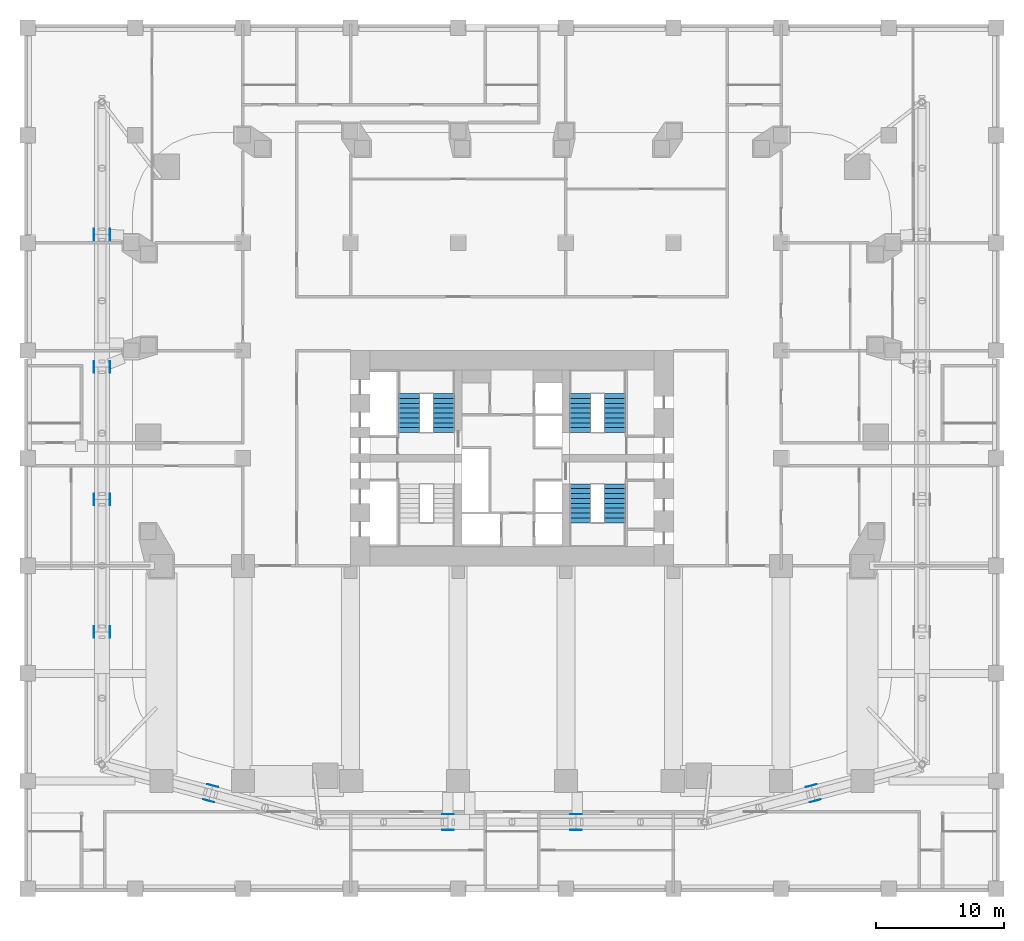
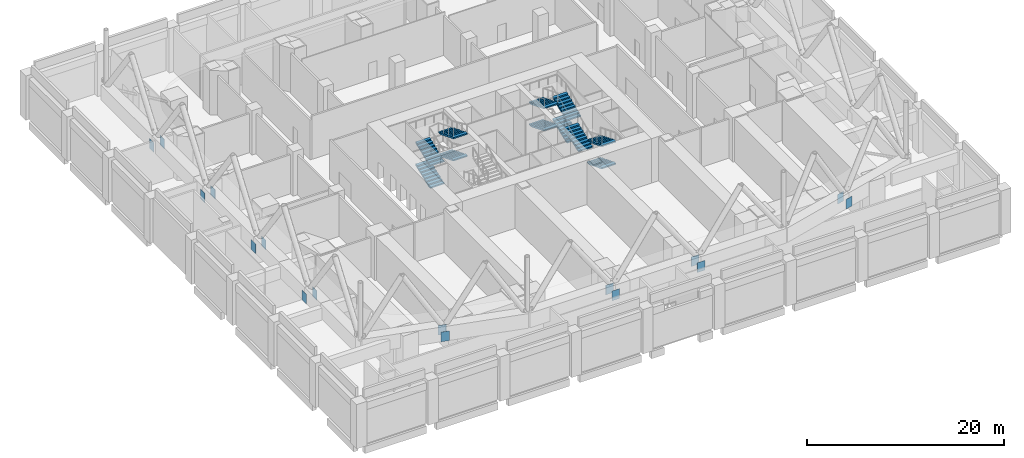
# One storey, part 13 of 17: 16 discrete accessories, 11 stair flights, 3 elements without a shape of their own.
"""IFC4 building model written with IfcOpenShell, lengths in metres."""

from ifc_helpers import new_model, si_unit, direction, frame, origin, origin_2d, place, context, subcontext, project, spatial, polyline, rectangle, outline, extrude, material, layer, layer_set, type_object, element, aggregate, save


model = new_model("IFC4")

# Units and contexts
model_context = context("Model", 3, precision=1e-05, world=origin(), true_north=direction((0.0, 1.0)))
body_context = subcontext(model_context, "Body", "Model", "MODEL_VIEW")
ifc_project = project(units=[si_unit("LENGTHUNIT", "METRE"), si_unit("AREAUNIT", "SQUARE_METRE"), si_unit("VOLUMEUNIT", "CUBIC_METRE"), si_unit("PLANEANGLEUNIT", "RADIAN"), si_unit("MASSUNIT", "GRAM", prefix="KILO")], contexts=[model_context])

# Site, building, storey
site_placement = place(None, origin())
site = spatial("IfcSite", under=ifc_project, at=site_placement, CompositionType="ELEMENT")
building_placement = place(site_placement, origin())
building = spatial("IfcBuilding", under=site, at=building_placement, Name="Marenta Gate Hotel Tower", CompositionType="ELEMENT")
storey_placement = place(building_placement, frame((0.0, 0.0, 31.0)))
storey = spatial("IfcBuildingStorey", under=building, at=storey_placement, Name="L05", CompositionType="ELEMENT", Elevation=31.0)

# Stair, stair flights
ifc_material_1 = material(Name="Concrete C40", Category="concrete")
stair_type = type_object("IfcStairType", Name="Core exit stair 1640 wide", PredefinedType="HALF_TURN_STAIR", material=ifc_material_1)
stair_1_placement = place(storey_placement, origin())
stair_1 = element("IfcStair", 1, at=stair_1_placement, inside=storey, type_object=stair_type, Name="Exit stair 2", PredefinedType="HALF_TURN_STAIR")
ifc_material_2 = material(Name="Concrete C40", Category="concrete")
stair_flight_type = type_object("IfcStairFlightType", Name="Core stair flight 1640 riser 152.8 going 380", PredefinedType="STRAIGHT", material=ifc_material_2)
stair_flight_1_placement = place(storey_placement, frame((-8.030029296875, 10.39990234375, 0.0), z_axis=(0.0, 0.0, 1.0), x_axis=(0.0, 1.0, 0.0)))
stair_flight_1 = element("IfcStairFlight", 2, at=stair_flight_1_placement, type_object=stair_flight_type, Name="ST2 flight 1", NumberOfRisers=9, NumberOfTreads=8, PredefinedType="STRAIGHT", RiserHeight=0.152778, TreadLength=0.38, context=body_context, shape_type="SweptSolid", body=[
    extrude(outline(polyline([(0.0, 0.0), (0.0, 0.15283203125), (0.3798828125, 0.15283203125), (0.3798828125, 0.3056640625), (0.760009765625, 0.3056640625), (0.760009765625, 0.458251953125), (1.139892578125, 0.458251953125), (1.139892578125, 0.611083984375), (1.52001953125, 0.611083984375), (1.52001953125, 0.763916015625), (1.89990234375, 0.763916015625), (1.89990234375, 0.916748046875), (2.280029296875, 0.916748046875), (2.280029296875, 1.0693359375), (2.659912109375, 1.0693359375), (2.659912109375, 1.22216796875), (3.0400390625, 1.22216796875), (3.0400390625, 1.375), (3.0400390625, 1.060546875), (0.40185546875, 0.0), (0.0, 0.0)])), frame((0.0, 0.81982421875, 0.0), z_axis=(0.0, -1.0, 0.0), x_axis=(1.0, 0.0, 0.0)), (0.0, 0.0, 1.0), 1.639892578125),
])
stair_flight_2_placement = place(storey_placement, frame((-5.320068359375, 13.43994140625, 1.375), z_axis=(0.0, 0.0, 1.0), x_axis=(0.0, -1.0, 0.0)))
stair_flight_2 = element("IfcStairFlight", 3, at=stair_flight_2_placement, type_object=stair_flight_type, Name="ST2 flight 2", NumberOfRisers=9, NumberOfTreads=8, PredefinedType="STRAIGHT", RiserHeight=0.152778, TreadLength=0.38, context=body_context, shape_type="SweptSolid", body=[
    extrude(outline(polyline([(0.0, 0.0), (0.0, 0.15283203125), (0.3798828125, 0.15283203125), (0.3798828125, 0.3056640625), (0.760009765625, 0.3056640625), (0.760009765625, 0.458251953125), (1.139892578125, 0.458251953125), (1.139892578125, 0.611083984375), (1.52001953125, 0.611083984375), (1.52001953125, 0.763916015625), (1.89990234375, 0.763916015625), (1.89990234375, 0.916748046875), (2.280029296875, 0.916748046875), (2.280029296875, 1.0693359375), (2.659912109375, 1.0693359375), (2.659912109375, 1.22216796875), (3.0400390625, 1.22216796875), (3.0400390625, 1.375), (3.0400390625, 1.060546875), (0.40185546875, 0.0), (0.0, 0.0)])), frame((0.0, 0.81982421875, 0.0), z_axis=(0.0, -1.0, 0.0), x_axis=(1.0, 0.0, 0.0)), (0.0, 0.0, 1.0), 1.639892578125),
])
stair_flight_3_placement = place(storey_placement, frame((-8.030029296875, 10.39990234375, 2.75), z_axis=(0.0, 0.0, 1.0), x_axis=(0.0, 1.0, 0.0)))
stair_flight_3 = element("IfcStairFlight", 4, at=stair_flight_3_placement, type_object=stair_flight_type, Name="ST2 flight 3", NumberOfRisers=9, NumberOfTreads=8, PredefinedType="STRAIGHT", RiserHeight=0.152778, TreadLength=0.38, context=body_context, shape_type="SweptSolid", body=[
    extrude(outline(polyline([(0.0, 0.0), (0.0, 0.15283203125), (0.3798828125, 0.15283203125), (0.3798828125, 0.3056640625), (0.760009765625, 0.3056640625), (0.760009765625, 0.458251953125), (1.139892578125, 0.458251953125), (1.139892578125, 0.611083984375), (1.52001953125, 0.611083984375), (1.52001953125, 0.763916015625), (1.89990234375, 0.763916015625), (1.89990234375, 0.916748046875), (2.280029296875, 0.916748046875), (2.280029296875, 1.0693359375), (2.659912109375, 1.0693359375), (2.659912109375, 1.22216796875), (3.0400390625, 1.22216796875), (3.0400390625, 1.375), (3.0400390625, 1.060546875), (0.40185546875, 0.0), (0.0, 0.0)])), frame((0.0, 0.81982421875, 0.0), z_axis=(0.0, -1.0, 0.0), x_axis=(1.0, 0.0, 0.0)), (0.0, 0.0, 1.0), 1.639892578125),
])
stair_flight_4_placement = place(storey_placement, frame((-5.320068359375, 13.43994140625, 4.125), z_axis=(0.0, 0.0, 1.0), x_axis=(0.0, -1.0, 0.0)))
stair_flight_4 = element("IfcStairFlight", 5, at=stair_flight_4_placement, type_object=stair_flight_type, Name="ST2 flight 4", NumberOfRisers=9, NumberOfTreads=8, PredefinedType="STRAIGHT", RiserHeight=0.152778, TreadLength=0.38, context=body_context, shape_type="SweptSolid", body=[
    extrude(outline(polyline([(0.0, 0.0), (0.0, 0.15283203125), (0.3798828125, 0.15283203125), (0.3798828125, 0.3056640625), (0.760009765625, 0.3056640625), (0.760009765625, 0.458251953125), (1.139892578125, 0.458251953125), (1.139892578125, 0.611083984375), (1.52001953125, 0.611083984375), (1.52001953125, 0.763916015625), (1.89990234375, 0.763916015625), (1.89990234375, 0.916748046875), (2.280029296875, 0.916748046875), (2.280029296875, 1.0693359375), (2.659912109375, 1.0693359375), (2.659912109375, 1.22216796875), (3.0400390625, 1.22216796875), (3.0400390625, 1.375), (3.0400390625, 1.060546875), (0.40185546875, 0.0), (0.0, 0.0)])), frame((0.0, 0.81982421875, 0.0), z_axis=(0.0, -1.0, 0.0), x_axis=(1.0, 0.0, 0.0)), (0.0, 0.0, 1.0), 1.639892578125),
])
aggregate(stair_1, [stair_flight_1, stair_flight_2, stair_flight_3, stair_flight_4])

stair_2_placement = place(storey_placement, origin())
stair_2 = element("IfcStair", 6, at=stair_2_placement, inside=storey, type_object=stair_type, Name="Exit stair 3", PredefinedType="HALF_TURN_STAIR")
stair_flight_5_placement = place(storey_placement, frame((8.030029296875, 6.39990234375, 0.0), z_axis=(0.0, 0.0, 1.0), x_axis=(0.0, -1.0, 0.0)))
stair_flight_5 = element("IfcStairFlight", 7, at=stair_flight_5_placement, type_object=stair_flight_type, Name="ST3 flight 1", NumberOfRisers=9, NumberOfTreads=8, PredefinedType="STRAIGHT", RiserHeight=0.152778, TreadLength=0.38, context=body_context, shape_type="SweptSolid", body=[
    extrude(outline(polyline([(0.0, 0.0), (0.0, 0.15283203125), (0.3798828125, 0.15283203125), (0.3798828125, 0.3056640625), (0.760009765625, 0.3056640625), (0.760009765625, 0.458251953125), (1.139892578125, 0.458251953125), (1.139892578125, 0.611083984375), (1.52001953125, 0.611083984375), (1.52001953125, 0.763916015625), (1.89990234375, 0.763916015625), (1.89990234375, 0.916748046875), (2.280029296875, 0.916748046875), (2.280029296875, 1.0693359375), (2.659912109375, 1.0693359375), (2.659912109375, 1.22216796875), (3.0400390625, 1.22216796875), (3.0400390625, 1.375), (3.0400390625, 1.060546875), (0.40185546875, 0.0), (0.0, 0.0)])), frame((0.0, 0.81982421875, 0.0), z_axis=(0.0, -1.0, 0.0), x_axis=(1.0, 0.0, 0.0)), (0.0, 0.0, 1.0), 1.639892578125),
])
stair_flight_6_placement = place(storey_placement, frame((8.030029296875, 6.39990234375, 2.75), z_axis=(0.0, 0.0, 1.0), x_axis=(0.0, -1.0, 0.0)))
stair_flight_6 = element("IfcStairFlight", 8, at=stair_flight_6_placement, type_object=stair_flight_type, Name="ST3 flight 3", NumberOfRisers=9, NumberOfTreads=8, PredefinedType="STRAIGHT", RiserHeight=0.152778, TreadLength=0.38, context=body_context, shape_type="SweptSolid", body=[
    extrude(outline(polyline([(0.0, 0.0), (0.0, 0.15283203125), (0.3798828125, 0.15283203125), (0.3798828125, 0.3056640625), (0.760009765625, 0.3056640625), (0.760009765625, 0.458251953125), (1.139892578125, 0.458251953125), (1.139892578125, 0.611083984375), (1.52001953125, 0.611083984375), (1.52001953125, 0.763916015625), (1.89990234375, 0.763916015625), (1.89990234375, 0.916748046875), (2.280029296875, 0.916748046875), (2.280029296875, 1.0693359375), (2.659912109375, 1.0693359375), (2.659912109375, 1.22216796875), (3.0400390625, 1.22216796875), (3.0400390625, 1.375), (3.0400390625, 1.060546875), (0.40185546875, 0.0), (0.0, 0.0)])), frame((0.0, 0.81982421875, 0.0), z_axis=(0.0, -1.0, 0.0), x_axis=(1.0, 0.0, 0.0)), (0.0, 0.0, 1.0), 1.639892578125),
])
stair_flight_7_placement = place(storey_placement, frame((5.320068359375, 3.360107421875, 4.125), z_axis=(0.0, 0.0, 1.0), x_axis=(0.0, 1.0, 0.0)))
stair_flight_7 = element("IfcStairFlight", 9, at=stair_flight_7_placement, type_object=stair_flight_type, Name="ST3 flight 4", NumberOfRisers=9, NumberOfTreads=8, PredefinedType="STRAIGHT", RiserHeight=0.152778, TreadLength=0.38, context=body_context, shape_type="SweptSolid", body=[
    extrude(outline(polyline([(0.0, 0.0), (0.0, 0.15283203125), (0.3798828125, 0.15283203125), (0.3798828125, 0.3056640625), (0.760009765625, 0.3056640625), (0.760009765625, 0.458251953125), (1.139892578125, 0.458251953125), (1.139892578125, 0.611083984375), (1.52001953125, 0.611083984375), (1.52001953125, 0.763916015625), (1.89990234375, 0.763916015625), (1.89990234375, 0.916748046875), (2.280029296875, 0.916748046875), (2.280029296875, 1.0693359375), (2.659912109375, 1.0693359375), (2.659912109375, 1.22216796875), (3.0400390625, 1.22216796875), (3.0400390625, 1.375), (3.0400390625, 1.060546875), (0.40185546875, 0.0), (0.0, 0.0)])), frame((0.0, 0.81982421875, 0.0), z_axis=(0.0, -1.0, 0.0), x_axis=(1.0, 0.0, 0.0)), (0.0, 0.0, 1.0), 1.639892578125),
])
aggregate(stair_2, [stair_flight_5, stair_flight_6, stair_flight_7])

stair_3_placement = place(storey_placement, origin())
stair_3 = element("IfcStair", 10, at=stair_3_placement, inside=storey, type_object=stair_type, Name="Exit stair 4", PredefinedType="HALF_TURN_STAIR")
stair_flight_8_placement = place(storey_placement, frame((8.030029296875, 10.39990234375, 0.0), z_axis=(0.0, 0.0, 1.0), x_axis=(0.0, 1.0, 0.0)))
stair_flight_8 = element("IfcStairFlight", 11, at=stair_flight_8_placement, type_object=stair_flight_type, Name="ST4 flight 1", NumberOfRisers=9, NumberOfTreads=8, PredefinedType="STRAIGHT", RiserHeight=0.152778, TreadLength=0.38, context=body_context, shape_type="SweptSolid", body=[
    extrude(outline(polyline([(0.0, 0.0), (0.0, 0.15283203125), (0.3798828125, 0.15283203125), (0.3798828125, 0.3056640625), (0.760009765625, 0.3056640625), (0.760009765625, 0.458251953125), (1.139892578125, 0.458251953125), (1.139892578125, 0.611083984375), (1.52001953125, 0.611083984375), (1.52001953125, 0.763916015625), (1.89990234375, 0.763916015625), (1.89990234375, 0.916748046875), (2.280029296875, 0.916748046875), (2.280029296875, 1.0693359375), (2.659912109375, 1.0693359375), (2.659912109375, 1.22216796875), (3.0400390625, 1.22216796875), (3.0400390625, 1.375), (3.0400390625, 1.060546875), (0.40185546875, 0.0), (0.0, 0.0)])), frame((0.0, 0.81982421875, 0.0), z_axis=(0.0, -1.0, 0.0), x_axis=(1.0, 0.0, 0.0)), (0.0, 0.0, 1.0), 1.639892578125),
])
stair_flight_9_placement = place(storey_placement, frame((5.320068359375, 13.43994140625, 1.375), z_axis=(0.0, 0.0, 1.0), x_axis=(0.0, -1.0, 0.0)))
stair_flight_9 = element("IfcStairFlight", 12, at=stair_flight_9_placement, type_object=stair_flight_type, Name="ST4 flight 2", NumberOfRisers=9, NumberOfTreads=8, PredefinedType="STRAIGHT", RiserHeight=0.152778, TreadLength=0.38, context=body_context, shape_type="SweptSolid", body=[
    extrude(outline(polyline([(0.0, 0.0), (0.0, 0.15283203125), (0.3798828125, 0.15283203125), (0.3798828125, 0.3056640625), (0.760009765625, 0.3056640625), (0.760009765625, 0.458251953125), (1.139892578125, 0.458251953125), (1.139892578125, 0.611083984375), (1.52001953125, 0.611083984375), (1.52001953125, 0.763916015625), (1.89990234375, 0.763916015625), (1.89990234375, 0.916748046875), (2.280029296875, 0.916748046875), (2.280029296875, 1.0693359375), (2.659912109375, 1.0693359375), (2.659912109375, 1.22216796875), (3.0400390625, 1.22216796875), (3.0400390625, 1.375), (3.0400390625, 1.060546875), (0.40185546875, 0.0), (0.0, 0.0)])), frame((0.0, 0.81982421875, 0.0), z_axis=(0.0, -1.0, 0.0), x_axis=(1.0, 0.0, 0.0)), (0.0, 0.0, 1.0), 1.639892578125),
])
stair_flight_10_placement = place(storey_placement, frame((8.030029296875, 10.39990234375, 2.75), z_axis=(0.0, 0.0, 1.0), x_axis=(0.0, 1.0, 0.0)))
stair_flight_10 = element("IfcStairFlight", 13, at=stair_flight_10_placement, type_object=stair_flight_type, Name="ST4 flight 3", NumberOfRisers=9, NumberOfTreads=8, PredefinedType="STRAIGHT", RiserHeight=0.152778, TreadLength=0.38, context=body_context, shape_type="SweptSolid", body=[
    extrude(outline(polyline([(0.0, 0.0), (0.0, 0.15283203125), (0.3798828125, 0.15283203125), (0.3798828125, 0.3056640625), (0.760009765625, 0.3056640625), (0.760009765625, 0.458251953125), (1.139892578125, 0.458251953125), (1.139892578125, 0.611083984375), (1.52001953125, 0.611083984375), (1.52001953125, 0.763916015625), (1.89990234375, 0.763916015625), (1.89990234375, 0.916748046875), (2.280029296875, 0.916748046875), (2.280029296875, 1.0693359375), (2.659912109375, 1.0693359375), (2.659912109375, 1.22216796875), (3.0400390625, 1.22216796875), (3.0400390625, 1.375), (3.0400390625, 1.060546875), (0.40185546875, 0.0), (0.0, 0.0)])), frame((0.0, 0.81982421875, 0.0), z_axis=(0.0, -1.0, 0.0), x_axis=(1.0, 0.0, 0.0)), (0.0, 0.0, 1.0), 1.639892578125),
])
stair_flight_11_placement = place(storey_placement, frame((5.320068359375, 13.43994140625, 4.125), z_axis=(0.0, 0.0, 1.0), x_axis=(0.0, -1.0, 0.0)))
stair_flight_11 = element("IfcStairFlight", 14, at=stair_flight_11_placement, type_object=stair_flight_type, Name="ST4 flight 4", NumberOfRisers=9, NumberOfTreads=8, PredefinedType="STRAIGHT", RiserHeight=0.152778, TreadLength=0.38, context=body_context, shape_type="SweptSolid", body=[
    extrude(outline(polyline([(0.0, 0.0), (0.0, 0.15283203125), (0.3798828125, 0.15283203125), (0.3798828125, 0.3056640625), (0.760009765625, 0.3056640625), (0.760009765625, 0.458251953125), (1.139892578125, 0.458251953125), (1.139892578125, 0.611083984375), (1.52001953125, 0.611083984375), (1.52001953125, 0.763916015625), (1.89990234375, 0.763916015625), (1.89990234375, 0.916748046875), (2.280029296875, 0.916748046875), (2.280029296875, 1.0693359375), (2.659912109375, 1.0693359375), (2.659912109375, 1.22216796875), (3.0400390625, 1.22216796875), (3.0400390625, 1.375), (3.0400390625, 1.060546875), (0.40185546875, 0.0), (0.0, 0.0)])), frame((0.0, 0.81982421875, 0.0), z_axis=(0.0, -1.0, 0.0), x_axis=(1.0, 0.0, 0.0)), (0.0, 0.0, 1.0), 1.639892578125),
])
aggregate(stair_3, [stair_flight_8, stair_flight_9, stair_flight_10, stair_flight_11])

# Discrete accessories
ifc_material_3 = material(Name="Steel S355J2W", Category="steel")
ifc_layer = layer(ifc_material_3, 0.02490234375)
ifc_layer_set = layer_set([ifc_layer], Name="Steel S355J2W")
discrete_accessory_type = type_object("IfcDiscreteAccessoryType", Name="Girder splice plate 25 mm", PredefinedType="BRACKET", material=ifc_layer_set)
for number, where, z_axis, x_axis, name in (
    (15, (23.362548828125, -17.158203125, 3.7001953125), (0.0, 0.0, 1.0), (-0.966561622525, -0.256434455293, 0.0), "SP1 Girder splice plate"),
    (16, (23.676513671875, -18.342041015625, 3.7001953125), (0.0, 0.0, 1.0), (-0.966561622525, -0.256434455293, 0.0), "SP1 Girder splice plate"),
    (17, (5.012939453125, -19.387451171875, 3.7001953125), (0.0, 0.0, 1.0), (-1.0, 0.0, 0.0), "SP1 Girder splice plate"),
    (18, (5.012939453125, -20.612548828125, 3.7001953125), (0.0, 0.0, 1.0), (-1.0, 0.0, 0.0), "SP1 Girder splice plate"),
    (19, (-5.012939453125, -19.387451171875, 3.7001953125), (0.0, 0.0, 1.0), (-1.0, 0.0, 0.0), "SP1 Girder splice plate"),
    (20, (-5.012939453125, -20.612548828125, 3.7001953125), (0.0, 0.0, 1.0), (-1.0, 0.0, 0.0), "SP1 Girder splice plate"),
    (21, (-23.362548828125, -17.158203125, 3.7001953125), (0.0, 0.0, 1.0), (-0.966561622525, 0.256434455293, 0.0), "SP1 Girder splice plate"),
    (22, (-23.676513671875, -18.342041015625, 3.7001953125), (0.0, 0.0, 1.0), (-0.966561622525, 0.256434455293, 0.0), "SP1 Girder splice plate"),
    (23, (-31.387451171875, -5.16015625, 3.7001953125), (0.0, 0.0, 1.0), (0.0, 1.0, 0.0), "SP1 Girder splice plate"),
    (24, (-32.612548828125, -5.16015625, 3.7001953125), (0.0, 0.0, 1.0), (0.0, 1.0, 0.0), "SP1 Girder splice plate"),
    (25, (-31.387451171875, 5.179931640625, 3.7001953125), (0.0, 0.0, 1.0), (0.0, 1.0, 0.0), "SP1 Girder splice plate"),
    (26, (-32.612548828125, 5.179931640625, 3.7001953125), (0.0, 0.0, 1.0), (0.0, 1.0, 0.0), "SP1 Girder splice plate"),
    (27, (-31.387451171875, 15.52001953125, 3.7001953125), (0.0, 0.0, 1.0), (0.0, 1.0, 0.0), "SP1 Girder splice plate"),
    (28, (-32.612548828125, 15.52001953125, 3.7001953125), (0.0, 0.0, 1.0), (0.0, 1.0, 0.0), "SP1 Girder splice plate"),
    (29, (-31.387451171875, 25.860107421875, 3.7001953125), (0.0, 0.0, 1.0), (0.0, 1.0, 0.0), "SP1 Girder splice plate"),
    (30, (-32.612548828125, 25.860107421875, 3.7001953125), (0.0, 0.0, 1.0), (0.0, 1.0, 0.0), "SP1 Girder splice plate"),
):
    element("IfcDiscreteAccessory", number, at=place(storey_placement, frame(where, z_axis=z_axis, x_axis=x_axis)), inside=storey, type_object=discrete_accessory_type, Name=name, PredefinedType="BRACKET", context=body_context, shape_type="SweptSolid", body=[
        extrude(rectangle(XDim=0.89990234375, YDim=0.02490234375, at=origin_2d()), origin(), (0.0, 0.0, 1.0), 1.199951171875),
    ])

save(model, "model.ifc")
